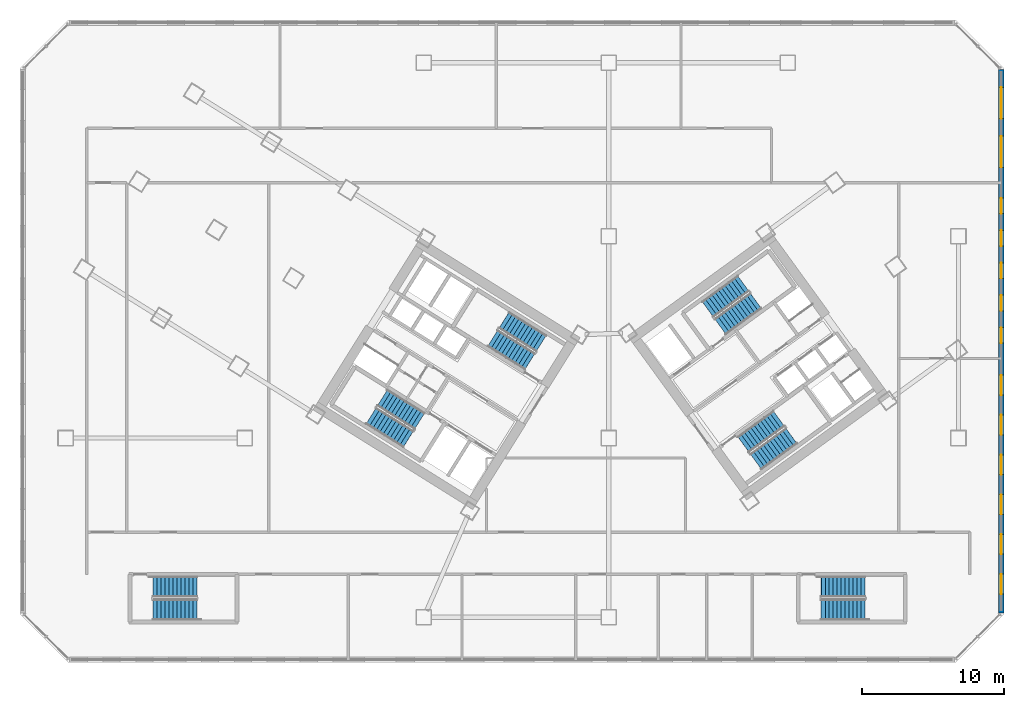
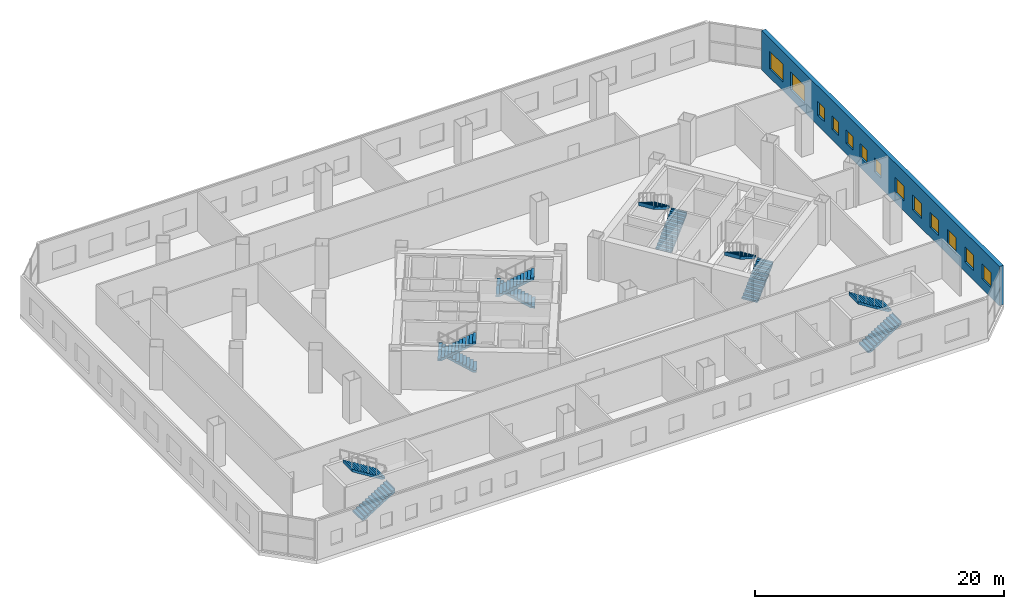
# One storey, part 15 of 22: 13 windows, 12 stair flights, 1 wall, 13 openings, 6 elements without a shape of their own.
"""IFC4 building model written with IfcOpenShell, lengths in metres."""

import ifcopenshell
import ifcopenshell.guid

model = None  # the IFC model being written
_history = None  # IfcOwnerHistory: only IFC2X3 demands one
_inside = {}  # id of a spatial element -> (the spatial element, [elements in it])
_under = {}  # id of a project, library or spatial element -> (it, [spatial elements below it])
_declared = {}  # id of a project -> (the project, [libraries it declares])
_typed = {}  # id of a type object -> (the type object, [elements of that type])
_made_of = {}  # id of a material, layer set ... -> (it, [elements and type objects made of it])


def new_model(schema):
    """Start an empty IFC model of exactly this schema.

    Asked for "IFC4X3", IfcOpenShell would pick the latest addendum, in which some entities
    have other attributes; the version numbers below select the first issue.
    IFC2X3 requires an IfcOwnerHistory on every rooted entity: one is made here for all.
    """
    global model, _history
    if schema == "IFC4X3":
        model = ifcopenshell.file(schema_version=(4, 3, 0, 0))
    else:
        model = ifcopenshell.file(schema=schema)
    _inside.clear()
    _under.clear()
    _declared.clear()
    _typed.clear()
    _made_of.clear()
    _history = None
    if model.schema == "IFC2X3":
        org = make("IfcOrganization", Name="unknown")
        user = make(
            "IfcPersonAndOrganization",
            ThePerson=make("IfcPerson", FamilyName="unknown"),
            TheOrganization=org,
        )
        app = make(
            "IfcApplication",
            ApplicationDeveloper=org,
            Version="unknown",
            ApplicationFullName="unknown",
            ApplicationIdentifier="unknown",
        )
        _history = make(
            "IfcOwnerHistory",
            OwningUser=user,
            OwningApplication=app,
            ChangeAction="ADDED",
            CreationDate=0,
        )
    return model


def make(cls, **values):
    """One entity of the class cls with the attributes given. An attribute that is None is left unset."""
    return model.create_entity(
        cls, **{name: value for name, value in values.items() if value is not None}
    )


def rooted(cls, **values):
    """An entity with a GlobalId (a new one), such as an element, a storey or a relation."""
    return make(cls, GlobalId=ifcopenshell.guid.new(), OwnerHistory=_history, **values)


def si_unit(unit_type, name, prefix=None):
    """IfcSIUnit, for example si_unit("LENGTHUNIT", "METRE", prefix="MILLI")."""
    return make("IfcSIUnit", UnitType=unit_type, Prefix=prefix, Name=name)


def assignment(units):
    """IfcUnitAssignment: the units of a project."""
    return None if units is None else make("IfcUnitAssignment", Units=units)


def point(xyz):
    """IfcCartesianPoint."""
    return None if xyz is None else make("IfcCartesianPoint", Coordinates=xyz)


def direction(xyz):
    """IfcDirection."""
    return None if xyz is None else make("IfcDirection", DirectionRatios=xyz)


def frame(location, z_axis=None, x_axis=None):
    """IfcAxis2Placement3D, a coordinate frame: its origin and axes. An axis left out is left unset."""
    return make(
        "IfcAxis2Placement3D",
        Location=point(location),
        Axis=direction(z_axis),
        RefDirection=direction(x_axis),
    )


def frame_2d(location, x_axis=None):
    """IfcAxis2Placement2D, a coordinate frame in the plane: its origin and x axis."""
    return make(
        "IfcAxis2Placement2D", Location=point(location), RefDirection=direction(x_axis)
    )


def origin():
    """The frame at (0, 0, 0) with its axes left unset."""
    return frame((0.0, 0.0, 0.0))


def place(relative_to, where):
    """IfcLocalPlacement: puts the frame where relative to a parent placement (None: the world)."""
    return make(
        "IfcLocalPlacement", PlacementRelTo=relative_to, RelativePlacement=where
    )


def context(
    kind, dimensions, precision=None, world=None, true_north=None, identifier=None
):
    """IfcGeometricRepresentationContext, for example the 3D "Model" context."""
    return make(
        "IfcGeometricRepresentationContext",
        ContextIdentifier=identifier,
        ContextType=kind,
        CoordinateSpaceDimension=dimensions,
        Precision=precision,
        WorldCoordinateSystem=world,
        TrueNorth=true_north,
    )


def subcontext(parent, identifier, kind, view, scale=None):
    """IfcGeometricRepresentationSubContext, for example "Body" below "Model"."""
    return make(
        "IfcGeometricRepresentationSubContext",
        ContextIdentifier=identifier,
        ContextType=kind,
        ParentContext=parent,
        TargetScale=scale,
        TargetView=view,
    )


def project(units=None, contexts=None):
    """IfcProject with its units and contexts."""
    return rooted(
        "IfcProject",
        Name="project",
        RepresentationContexts=contexts,
        UnitsInContext=assignment(units),
    )


def spatial(cls, under=None, at=None, **own):
    """A site, building, storey or space (cls), placed at a placement, below another one or the project."""
    s = rooted(cls, ObjectPlacement=at, **own)
    if under is not None:
        _under.setdefault(under.id(), (under, []))[1].append(s)
    return s


def polyline(points):
    """IfcPolyline through the points."""
    return make("IfcPolyline", Points=[point(p) for p in points])


def profile(cls, at=None, kind="AREA", **sizes):
    """A parametric profile (cls). Its sizes go by their IFC names, for example OverallWidth=200.0."""
    return make(cls, ProfileType=kind, Position=at, **sizes)


def rectangle(**sizes):
    """IfcRectangleProfileDef."""
    return profile("IfcRectangleProfileDef", **sizes)


def outline(outer, holes=None, kind="AREA"):
    """IfcArbitraryClosedProfileDef: a profile drawn as a closed curve; with holes, ...WithVoids."""
    if holes is None:
        return make("IfcArbitraryClosedProfileDef", ProfileType=kind, OuterCurve=outer)
    return make(
        "IfcArbitraryProfileDefWithVoids",
        ProfileType=kind,
        OuterCurve=outer,
        InnerCurves=holes,
    )


def extrude(swept, where, along, depth):
    """IfcExtrudedAreaSolid: the profile swept, set in the frame where, extruded along a direction by depth."""
    return make(
        "IfcExtrudedAreaSolid",
        SweptArea=swept,
        Position=where,
        ExtrudedDirection=direction(along),
        Depth=depth,
    )


def shape(context_of_items, identifier, shape_type, items):
    """IfcShapeRepresentation: the items that make up one representation, for example the "Body"."""
    return make(
        "IfcShapeRepresentation",
        ContextOfItems=context_of_items,
        RepresentationIdentifier=identifier,
        RepresentationType=shape_type,
        Items=items,
    )


def source(mapping_origin, context_of_items, identifier, shape_type, items):
    """IfcRepresentationMap: a shape defined once, which mapped items show again and again."""
    return make(
        "IfcRepresentationMap",
        MappingOrigin=mapping_origin,
        MappedRepresentation=shape(context_of_items, identifier, shape_type, items),
    )


def transform(
    local_origin,
    x_axis=None,
    y_axis=None,
    z_axis=None,
    scale=None,
    scale2=None,
    scale3=None,
    uniform=True,
):
    """IfcCartesianTransformationOperator3D, or its non-uniform kind. x_axis, y_axis, z_axis: its Axis1, 2, 3."""
    if uniform:
        return make(
            "IfcCartesianTransformationOperator3D",
            Axis1=direction(x_axis),
            Axis2=direction(y_axis),
            LocalOrigin=point(local_origin),
            Scale=scale,
            Axis3=direction(z_axis),
        )
    return make(
        "IfcCartesianTransformationOperator3DnonUniform",
        Axis1=direction(x_axis),
        Axis2=direction(y_axis),
        LocalOrigin=point(local_origin),
        Scale=scale,
        Axis3=direction(z_axis),
        Scale2=scale2,
        Scale3=scale3,
    )


def mapped(mapping_source, mapping_target):
    """IfcMappedItem: shows the shape of a source again, moved by a transform."""
    return make(
        "IfcMappedItem", MappingSource=mapping_source, MappingTarget=mapping_target
    )


def material(Name=None, Category=None):
    """IfcMaterial."""
    return make("IfcMaterial", Name=Name, Category=Category)


def layer(
    of_material, thickness, ventilated=None, Name=None, Category=None, Priority=None
):
    """IfcMaterialLayer: one layer of a wall or slab, of a material (None: an air gap)."""
    return make(
        "IfcMaterialLayer",
        Material=of_material,
        LayerThickness=thickness,
        IsVentilated=ventilated,
        Name=Name,
        Category=Category,
        Priority=Priority,
    )


def layer_set(layers, Name=None):
    """IfcMaterialLayerSet."""
    return make("IfcMaterialLayerSet", MaterialLayers=layers, LayerSetName=Name)


def made_of(thing, what):
    """Note that an element or type object is made of a material, layer set ...; save() writes the relation."""
    if what is not None:
        _made_of.setdefault(what.id(), (what, []))[1].append(thing)
    return thing


def type_object(cls, material=None, **own):
    """A type object (cls), such as IfcWallType, which elements share."""
    return made_of(rooted(cls, **own), material)


def element(
    cls,
    number,
    at=None,
    inside=None,
    cuts=None,
    type_object=None,
    material=None,
    context=None,
    identifier="Body",
    shape_type=None,
    held_by="IfcProductDefinitionShape",
    body=None,
    shapes=None,
    **own,
):
    """One element of the class cls, such as IfcWall. Its Tag is "e" and its number.

    at: its placement. inside: the storey or other place that contains it. cuts: it is an
    opening in that element (IfcRelVoidsElement). A single representation is given by context,
    identifier, shape_type and body (its items); several are given by shapes. held_by: the class
    of the entity that holds the representations. save() writes the other relations.
    """
    e = rooted(cls, Tag="e%d" % number, ObjectPlacement=at, **own)
    if body is not None:
        shapes = [shape(context, identifier, shape_type, body)]
    if shapes is not None:
        e.Representation = make(held_by, Representations=shapes)
    if inside is not None:
        _inside.setdefault(inside.id(), (inside, []))[1].append(e)
    if cuts is not None:
        rooted(
            "IfcRelVoidsElement", RelatingBuildingElement=cuts, RelatedOpeningElement=e
        )
    if type_object is not None:
        _typed.setdefault(type_object.id(), (type_object, []))[1].append(e)
    return made_of(e, material)


def fill(opening, filler):
    """IfcRelFillsElement: the door or window that sits in an opening."""
    return rooted(
        "IfcRelFillsElement",
        RelatingOpeningElement=opening,
        RelatedBuildingElement=filler,
    )


def aggregate(whole, parts):
    """IfcRelAggregates: a whole, such as a stair, and the parts it consists of."""
    return rooted("IfcRelAggregates", RelatingObject=whole, RelatedObjects=parts)


def save(model, path):
    """Write the relations noted so far, then the file.

    IfcRelAggregates (storeys below a building ...), IfcRelContainedInSpatialStructure (elements
    in a storey), IfcRelDefinesByType, IfcRelAssociatesMaterial and IfcRelDeclares: one each for
    every whole, place, type object, material and project.
    """
    for whole, parts in _under.values():
        aggregate(whole, parts)
    for where, things in _inside.values():
        rooted(
            "IfcRelContainedInSpatialStructure",
            RelatedElements=things,
            RelatingStructure=where,
        )
    for kind, things in _typed.values():
        rooted("IfcRelDefinesByType", RelatedObjects=things, RelatingType=kind)
    for what, things in _made_of.values():
        rooted("IfcRelAssociatesMaterial", RelatedObjects=things, RelatingMaterial=what)
    for by, libraries in _declared.values():
        rooted("IfcRelDeclares", RelatingContext=by, RelatedDefinitions=libraries)
    model.write(path)


model = new_model("IFC4")

# Units and contexts
model_context = context("Model", 3, precision=1e-05, world=origin(), true_north=direction((0.0, 1.0)))
body_context = subcontext(model_context, "Body", "Model", "MODEL_VIEW")
ifc_project = project(units=[si_unit("LENGTHUNIT", "METRE"), si_unit("AREAUNIT", "SQUARE_METRE"), si_unit("VOLUMEUNIT", "CUBIC_METRE"), si_unit("PLANEANGLEUNIT", "RADIAN"), si_unit("MASSUNIT", "GRAM", prefix="KILO")], contexts=[model_context])

# Site, building, storey
site_placement = place(None, origin())
site = spatial("IfcSite", under=ifc_project, at=site_placement, CompositionType="ELEMENT")
building_placement = place(site_placement, origin())
building = spatial("IfcBuilding", under=site, at=building_placement, Name="Tlacorven Tower", CompositionType="ELEMENT")
storey_placement = place(building_placement, frame((0.0, 0.0, 10.199951171875)))
storey = spatial("IfcBuildingStorey", under=building, at=storey_placement, Name="L02", CompositionType="ELEMENT", Elevation=10.199951171875)

# Wall, openings, windows
ifc_material_1 = material(Name="Precast concrete C45/55", Category="concrete")
ifc_layer = layer(ifc_material_1, 0.3798828125)
ifc_layer_set = layer_set([ifc_layer], Name="Precast concrete C45/55")
wall_type = type_object("IfcWallType", Name="WL-EXT-380", PredefinedType="STANDARD", material=ifc_layer_set)
wall_placement = place(storey_placement, frame((70.39990234375, 43.1171875, 0.0), z_axis=(0.0, 0.0, 1.0), x_axis=(0.0, -1.0, 0.0)))
wall = element("IfcWall", 1, at=wall_placement, inside=storey, type_object=wall_type, Name="L02 Podium Masonry-Frame Facade Wall 6", PredefinedType="STANDARD", context=body_context, shape_type="SweptSolid", body=[
    extrude(rectangle(XDim=38.234375, YDim=0.3798828125, at=frame_2d((19.1171875, 0.0))), origin(), (0.0, 0.0, 1.0), 3.85009765625),
])
opening_1_placement = place(wall_placement, frame((1.25927734375, 0.0, 0.85009765625)))
opening_1 = element("IfcOpeningElement", 2, at=opening_1_placement, cuts=wall, Name="Opening WN14", PredefinedType="OPENING", context=body_context, shape_type="SweptSolid", body=[
    extrude(rectangle(XDim=2.199951171875, YDim=1.75, at=frame_2d((1.10009765625, 0.875))), frame((0.0, 0.199951171875, 0.0), z_axis=(0.0, -1.0, 0.0), x_axis=(1.0, 0.0, 0.0)), (0.0, 0.0, 1.0), 0.39990234375),
])
opening_2_placement = place(wall_placement, frame((4.677978515625, 0.0, 0.85009765625)))
opening_2 = element("IfcOpeningElement", 3, at=opening_2_placement, cuts=wall, Name="Opening WN14", PredefinedType="OPENING", context=body_context, shape_type="SweptSolid", body=[
    extrude(rectangle(XDim=2.199951171875, YDim=1.75, at=frame_2d((1.10009765625, 0.875))), frame((0.0, 0.199951171875, 0.0), z_axis=(0.0, -1.0, 0.0), x_axis=(1.0, 0.0, 0.0)), (0.0, 0.0, 1.0), 0.39990234375),
])
opening_3_placement = place(wall_placement, frame((9.0361328125, 0.0, 1.0)))
opening_3 = element("IfcOpeningElement", 4, at=opening_3_placement, cuts=wall, Name="Opening WN16", PredefinedType="OPENING", context=body_context, shape_type="SweptSolid", body=[
    extrude(rectangle(XDim=1.10009765625, YDim=1.35009765625, at=frame_2d((0.550048828125, 0.675048828125))), frame((0.0, 0.199951171875, 0.0), z_axis=(0.0, -1.0, 0.0), x_axis=(1.0, 0.0, 0.0)), (0.0, 0.0, 1.0), 0.39990234375),
])
opening_4_placement = place(wall_placement, frame((11.314208984375, 0.0, 1.0)))
opening_4 = element("IfcOpeningElement", 5, at=opening_4_placement, cuts=wall, Name="Opening WN16", PredefinedType="OPENING", context=body_context, shape_type="SweptSolid", body=[
    extrude(rectangle(XDim=1.10009765625, YDim=1.35009765625, at=frame_2d((0.550048828125, 0.675048828125))), frame((0.0, 0.199951171875, 0.0), z_axis=(0.0, -1.0, 0.0), x_axis=(1.0, 0.0, 0.0)), (0.0, 0.0, 1.0), 0.39990234375),
])
opening_5_placement = place(wall_placement, frame((13.59228515625, 0.0, 1.0)))
opening_5 = element("IfcOpeningElement", 6, at=opening_5_placement, cuts=wall, Name="Opening WN16", PredefinedType="OPENING", context=body_context, shape_type="SweptSolid", body=[
    extrude(rectangle(XDim=1.10009765625, YDim=1.35009765625, at=frame_2d((0.550048828125, 0.675048828125))), frame((0.0, 0.199951171875, 0.0), z_axis=(0.0, -1.0, 0.0), x_axis=(1.0, 0.0, 0.0)), (0.0, 0.0, 1.0), 0.39990234375),
])
opening_6_placement = place(wall_placement, frame((15.8701171875, 0.0, 1.0)))
opening_6 = element("IfcOpeningElement", 7, at=opening_6_placement, cuts=wall, Name="Opening WN16", PredefinedType="OPENING", context=body_context, shape_type="SweptSolid", body=[
    extrude(rectangle(XDim=1.10009765625, YDim=1.35009765625, at=frame_2d((0.550048828125, 0.675048828125))), frame((0.0, 0.199951171875, 0.0), z_axis=(0.0, -1.0, 0.0), x_axis=(1.0, 0.0, 0.0)), (0.0, 0.0, 1.0), 0.39990234375),
])
opening_7_placement = place(wall_placement, frame((18.148193359375, 0.0, 1.0)))
opening_7 = element("IfcOpeningElement", 8, at=opening_7_placement, cuts=wall, Name="Opening WN16", PredefinedType="OPENING", context=body_context, shape_type="SweptSolid", body=[
    extrude(rectangle(XDim=1.10009765625, YDim=1.35009765625, at=frame_2d((0.550048828125, 0.675048828125))), frame((0.0, 0.199951171875, 0.0), z_axis=(0.0, -1.0, 0.0), x_axis=(1.0, 0.0, 0.0)), (0.0, 0.0, 1.0), 0.39990234375),
])
opening_8_placement = place(wall_placement, frame((21.49609375, 0.0, 0.949951171875)))
opening_8 = element("IfcOpeningElement", 9, at=opening_8_placement, cuts=wall, Name="Opening WN15", PredefinedType="OPENING", context=body_context, shape_type="SweptSolid", body=[
    extrude(rectangle(XDim=1.39990234375, YDim=1.5, at=frame_2d((0.699951171875, 0.75))), frame((0.0, 0.199951171875, 0.0), z_axis=(0.0, -1.0, 0.0), x_axis=(1.0, 0.0, 0.0)), (0.0, 0.0, 1.0), 0.39990234375),
])
opening_9_placement = place(wall_placement, frame((24.2939453125, 0.0, 0.949951171875)))
opening_9 = element("IfcOpeningElement", 10, at=opening_9_placement, cuts=wall, Name="Opening WN15", PredefinedType="OPENING", context=body_context, shape_type="SweptSolid", body=[
    extrude(rectangle(XDim=1.39990234375, YDim=1.5, at=frame_2d((0.699951171875, 0.75))), frame((0.0, 0.199951171875, 0.0), z_axis=(0.0, -1.0, 0.0), x_axis=(1.0, 0.0, 0.0)), (0.0, 0.0, 1.0), 0.39990234375),
])
opening_10_placement = place(wall_placement, frame((27.091796875, 0.0, 0.949951171875)))
opening_10 = element("IfcOpeningElement", 11, at=opening_10_placement, cuts=wall, Name="Opening WN15", PredefinedType="OPENING", context=body_context, shape_type="SweptSolid", body=[
    extrude(rectangle(XDim=1.39990234375, YDim=1.5, at=frame_2d((0.699951171875, 0.75))), frame((0.0, 0.199951171875, 0.0), z_axis=(0.0, -1.0, 0.0), x_axis=(1.0, 0.0, 0.0)), (0.0, 0.0, 1.0), 0.39990234375),
])
opening_11_placement = place(wall_placement, frame((29.8896484375, 0.0, 0.949951171875)))
opening_11 = element("IfcOpeningElement", 12, at=opening_11_placement, cuts=wall, Name="Opening WN15", PredefinedType="OPENING", context=body_context, shape_type="SweptSolid", body=[
    extrude(rectangle(XDim=1.39990234375, YDim=1.5, at=frame_2d((0.699951171875, 0.75))), frame((0.0, 0.199951171875, 0.0), z_axis=(0.0, -1.0, 0.0), x_axis=(1.0, 0.0, 0.0)), (0.0, 0.0, 1.0), 0.39990234375),
])
opening_12_placement = place(wall_placement, frame((32.6875, 0.0, 0.949951171875)))
opening_12 = element("IfcOpeningElement", 13, at=opening_12_placement, cuts=wall, Name="Opening WN15", PredefinedType="OPENING", context=body_context, shape_type="SweptSolid", body=[
    extrude(rectangle(XDim=1.39990234375, YDim=1.5, at=frame_2d((0.699951171875, 0.75))), frame((0.0, 0.199951171875, 0.0), z_axis=(0.0, -1.0, 0.0), x_axis=(1.0, 0.0, 0.0)), (0.0, 0.0, 1.0), 0.39990234375),
])
opening_13_placement = place(wall_placement, frame((35.4853515625, 0.0, 0.949951171875)))
opening_13 = element("IfcOpeningElement", 14, at=opening_13_placement, cuts=wall, Name="Opening WN15", PredefinedType="OPENING", context=body_context, shape_type="SweptSolid", body=[
    extrude(rectangle(XDim=1.39990234375, YDim=1.5, at=frame_2d((0.699951171875, 0.75))), frame((0.0, 0.199951171875, 0.0), z_axis=(0.0, -1.0, 0.0), x_axis=(1.0, 0.0, 0.0)), (0.0, 0.0, 1.0), 0.39990234375),
])
ifc_material_2 = material(Name="Dark solar low-E double glazing in anodised aluminium frame", Category="aluminium")
window_type_1 = type_object("IfcWindowType", Name="WN-CLN-2200X1850", PartitioningType="SINGLE_PANEL", PredefinedType="WINDOW", material=ifc_material_2)
shared_shape_1 = source(origin(), body_context, "Body", "SweptSolid", [
    extrude(rectangle(XDim=2.199951171875, YDim=1.75, at=frame_2d((1.10009765625, 0.875))), frame((0.0, 0.030029296875, 0.0), z_axis=(0.0, -1.0, 0.0), x_axis=(1.0, 0.0, 0.0)), (0.0, 0.0, 1.0), 0.06005859375),
])
window_1_placement = place(opening_1_placement, origin())
window_1 = element("IfcWindow", 15, at=window_1_placement, inside=storey, type_object=window_type_1, Name="L02 Podium Recessed Facade Window 6.1", OverallHeight=1.75, OverallWidth=2.199951171875, PartitioningType="SINGLE_PANEL", PredefinedType="WINDOW", context=body_context, shape_type="MappedRepresentation", body=[
    mapped(shared_shape_1, transform((0.0, 0.0, 0.0), scale=1.0)),
])
fill(opening_1, window_1)
window_2_placement = place(opening_2_placement, origin())
window_2 = element("IfcWindow", 16, at=window_2_placement, inside=storey, type_object=window_type_1, Name="L02 Podium Recessed Facade Window 6.2", OverallHeight=1.75, OverallWidth=2.199951171875, PartitioningType="SINGLE_PANEL", PredefinedType="WINDOW", context=body_context, shape_type="MappedRepresentation", body=[
    mapped(shared_shape_1, transform((0.0, 0.0, 0.0), scale=1.0)),
])
fill(opening_2, window_2)
window_type_2 = type_object("IfcWindowType", Name="WN-CLN-1100X1400", PartitioningType="SINGLE_PANEL", PredefinedType="WINDOW", material=ifc_material_2)
shared_shape_2 = source(origin(), body_context, "Body", "SweptSolid", [
    extrude(rectangle(XDim=1.10009765625, YDim=1.35009765625, at=frame_2d((0.550048828125, 0.675048828125))), frame((0.0, 0.030029296875, 0.0), z_axis=(0.0, -1.0, 0.0), x_axis=(1.0, 0.0, 0.0)), (0.0, 0.0, 1.0), 0.06005859375),
])
window_3_placement = place(opening_3_placement, origin())
window_3 = element("IfcWindow", 17, at=window_3_placement, inside=storey, type_object=window_type_2, Name="L02 Podium Recessed Facade Window 6.3", OverallHeight=1.35009765625, OverallWidth=1.10009765625, PartitioningType="SINGLE_PANEL", PredefinedType="WINDOW", context=body_context, shape_type="MappedRepresentation", body=[
    mapped(shared_shape_2, transform((0.0, 0.0, 0.0), scale=1.0)),
])
fill(opening_3, window_3)
window_4_placement = place(opening_4_placement, origin())
window_4 = element("IfcWindow", 18, at=window_4_placement, inside=storey, type_object=window_type_2, Name="L02 Podium Recessed Facade Window 6.4", OverallHeight=1.35009765625, OverallWidth=1.10009765625, PartitioningType="SINGLE_PANEL", PredefinedType="WINDOW", context=body_context, shape_type="MappedRepresentation", body=[
    mapped(shared_shape_2, transform((0.0, 0.0, 0.0), scale=1.0)),
])
fill(opening_4, window_4)
window_5_placement = place(opening_5_placement, origin())
window_5 = element("IfcWindow", 19, at=window_5_placement, inside=storey, type_object=window_type_2, Name="L02 Podium Recessed Facade Window 6.5", OverallHeight=1.35009765625, OverallWidth=1.10009765625, PartitioningType="SINGLE_PANEL", PredefinedType="WINDOW", context=body_context, shape_type="MappedRepresentation", body=[
    mapped(shared_shape_2, transform((0.0, 0.0, 0.0), scale=1.0)),
])
fill(opening_5, window_5)
window_6_placement = place(opening_6_placement, origin())
window_6 = element("IfcWindow", 20, at=window_6_placement, inside=storey, type_object=window_type_2, Name="L02 Podium Recessed Facade Window 6.6", OverallHeight=1.35009765625, OverallWidth=1.10009765625, PartitioningType="SINGLE_PANEL", PredefinedType="WINDOW", context=body_context, shape_type="MappedRepresentation", body=[
    mapped(shared_shape_2, transform((0.0, 0.0, 0.0), scale=1.0)),
])
fill(opening_6, window_6)
window_7_placement = place(opening_7_placement, origin())
window_7 = element("IfcWindow", 21, at=window_7_placement, inside=storey, type_object=window_type_2, Name="L02 Podium Recessed Facade Window 6.7", OverallHeight=1.35009765625, OverallWidth=1.10009765625, PartitioningType="SINGLE_PANEL", PredefinedType="WINDOW", context=body_context, shape_type="MappedRepresentation", body=[
    mapped(shared_shape_2, transform((0.0, 0.0, 0.0), scale=1.0)),
])
fill(opening_7, window_7)
window_type_3 = type_object("IfcWindowType", Name="WN-CLN-1400X1600", PartitioningType="SINGLE_PANEL", PredefinedType="WINDOW", material=ifc_material_2)
shared_shape_3 = source(origin(), body_context, "Body", "SweptSolid", [
    extrude(rectangle(XDim=1.39990234375, YDim=1.5, at=frame_2d((0.699951171875, 0.75))), frame((0.0, 0.030029296875, 0.0), z_axis=(0.0, -1.0, 0.0), x_axis=(1.0, 0.0, 0.0)), (0.0, 0.0, 1.0), 0.06005859375),
])
window_8_placement = place(opening_8_placement, origin())
window_8 = element("IfcWindow", 22, at=window_8_placement, inside=storey, type_object=window_type_3, Name="L02 Podium Recessed Facade Window 6.8", OverallHeight=1.5, OverallWidth=1.39990234375, PartitioningType="SINGLE_PANEL", PredefinedType="WINDOW", context=body_context, shape_type="MappedRepresentation", body=[
    mapped(shared_shape_3, transform((0.0, 0.0, 0.0), scale=1.0)),
])
fill(opening_8, window_8)
window_9_placement = place(opening_9_placement, origin())
window_9 = element("IfcWindow", 23, at=window_9_placement, inside=storey, type_object=window_type_3, Name="L02 Podium Recessed Facade Window 6.9", OverallHeight=1.5, OverallWidth=1.39990234375, PartitioningType="SINGLE_PANEL", PredefinedType="WINDOW", context=body_context, shape_type="MappedRepresentation", body=[
    mapped(shared_shape_3, transform((0.0, 0.0, 0.0), scale=1.0)),
])
fill(opening_9, window_9)
window_10_placement = place(opening_10_placement, origin())
window_10 = element("IfcWindow", 24, at=window_10_placement, inside=storey, type_object=window_type_3, Name="L02 Podium Recessed Facade Window 6.10", OverallHeight=1.5, OverallWidth=1.39990234375, PartitioningType="SINGLE_PANEL", PredefinedType="WINDOW", context=body_context, shape_type="MappedRepresentation", body=[
    mapped(shared_shape_3, transform((0.0, 0.0, 0.0), scale=1.0)),
])
fill(opening_10, window_10)
window_11_placement = place(opening_11_placement, origin())
window_11 = element("IfcWindow", 25, at=window_11_placement, inside=storey, type_object=window_type_3, Name="L02 Podium Recessed Facade Window 6.11", OverallHeight=1.5, OverallWidth=1.39990234375, PartitioningType="SINGLE_PANEL", PredefinedType="WINDOW", context=body_context, shape_type="MappedRepresentation", body=[
    mapped(shared_shape_3, transform((0.0, 0.0, 0.0), scale=1.0)),
])
fill(opening_11, window_11)
window_12_placement = place(opening_12_placement, origin())
window_12 = element("IfcWindow", 26, at=window_12_placement, inside=storey, type_object=window_type_3, Name="L02 Podium Recessed Facade Window 6.12", OverallHeight=1.5, OverallWidth=1.39990234375, PartitioningType="SINGLE_PANEL", PredefinedType="WINDOW", context=body_context, shape_type="MappedRepresentation", body=[
    mapped(shared_shape_3, transform((0.0, 0.0, 0.0), scale=1.0)),
])
fill(opening_12, window_12)
window_13_placement = place(opening_13_placement, origin())
window_13 = element("IfcWindow", 27, at=window_13_placement, inside=storey, type_object=window_type_3, Name="L02 Podium Recessed Facade Window 6.13", OverallHeight=1.5, OverallWidth=1.39990234375, PartitioningType="SINGLE_PANEL", PredefinedType="WINDOW", context=body_context, shape_type="MappedRepresentation", body=[
    mapped(shared_shape_3, transform((0.0, 0.0, 0.0), scale=1.0)),
])
fill(opening_13, window_13)

# Stair, stair flights
ifc_material_3 = material(Name="Concrete C40/50", Category="concrete")
stair_type_1 = type_object("IfcStairType", Name="ST-CORE-DLG", PredefinedType="HALF_TURN_STAIR", material=ifc_material_3)
stair_1_placement = place(storey_placement, origin())
stair_1 = element("IfcStair", 28, at=stair_1_placement, inside=storey, type_object=stair_type_1, Name="L02 Protected Exit Stair West 1", PredefinedType="HALF_TURN_STAIR")
stair_flight_type_1 = type_object("IfcStairFlightType", Name="SFL-RC-1380", PredefinedType="STRAIGHT", material=ifc_material_3)
shared_shape_4 = source(origin(), body_context, "Body", "SweptSolid", [
    extrude(outline(polyline([(-0.0029296875, -0.0029296875), (-0.0029296875, 0.175048828125), (0.280029296875, 0.175048828125), (0.280029296875, 0.35009765625), (0.56005859375, 0.35009765625), (0.56005859375, 0.52490234375), (0.840087890625, 0.52490234375), (0.840087890625, 0.699951171875), (1.1201171875, 0.699951171875), (1.1201171875, 0.875), (1.39990234375, 0.875), (1.39990234375, 1.050048828125), (1.679931640625, 1.050048828125), (1.679931640625, 1.22509765625), (1.9599609375, 1.22509765625), (1.9599609375, 1.39990234375), (2.239990234375, 1.39990234375), (2.239990234375, 1.574951171875), (2.52001953125, 1.574951171875), (2.52001953125, 1.75), (2.800048828125, 1.75), (2.800048828125, 1.925048828125), (3.080078125, 1.925048828125), (3.080078125, 2.10009765625), (3.0830078125, 2.10009765625), (3.0830078125, 1.736328125), (3.080078125, 1.736328125), (0.3017578125, 0.0), (0.3017578125, -0.0029296875), (-0.0029296875, -0.0029296875)])), frame((0.0, 0.68994140625, 0.0), z_axis=(0.0, -1.0, 0.0), x_axis=(1.0, 0.0, 0.0)), (0.0, 0.0, 1.0), 1.3798828125),
])
stair_flight_1_placement = place(storey_placement, frame((29.499755859375, 18.39453125, 0.0), z_axis=(0.0, 0.0, 1.0), x_axis=(-0.848048096156, 0.529919264233, 0.0)))
stair_flight_1 = element("IfcStairFlight", 29, at=stair_flight_1_placement, type_object=stair_flight_type_1, Name="ST-W1 flight 1", NumberOfRisers=12, NumberOfTreads=11, PredefinedType="STRAIGHT", RiserHeight=0.175, TreadLength=0.28, context=body_context, shape_type="MappedRepresentation", body=[
    mapped(shared_shape_4, transform((0.0, 0.0, 0.0), scale=1.0)),
])
stair_flight_2_placement = place(storey_placement, frame((26.093017578125, 18.754638671875, 2.10009765625), z_axis=(0.0, 0.0, 1.0), x_axis=(0.848048096156, -0.529919264233, 0.0)))
stair_flight_2 = element("IfcStairFlight", 30, at=stair_flight_2_placement, type_object=stair_flight_type_1, Name="ST-W1 flight 2", NumberOfRisers=12, NumberOfTreads=11, PredefinedType="STRAIGHT", RiserHeight=0.175, TreadLength=0.28, context=body_context, shape_type="MappedRepresentation", body=[
    mapped(shared_shape_4, transform((0.0, 0.0, 0.0), scale=1.0)),
])
aggregate(stair_1, [stair_flight_1, stair_flight_2])

stair_2_placement = place(storey_placement, origin())
stair_2 = element("IfcStair", 31, at=stair_2_placement, inside=storey, type_object=stair_type_1, Name="L02 Protected Exit Stair West 2", PredefinedType="HALF_TURN_STAIR")
stair_flight_3_placement = place(storey_placement, frame((38.051513671875, 23.852294921875, 0.0), z_axis=(0.0, 0.0, 1.0), x_axis=(-0.848048096156, 0.529919264233, 0.0)))
stair_flight_3 = element("IfcStairFlight", 32, at=stair_flight_3_placement, type_object=stair_flight_type_1, Name="ST-W2 flight 1", NumberOfRisers=12, NumberOfTreads=11, PredefinedType="STRAIGHT", RiserHeight=0.175, TreadLength=0.28, context=body_context, shape_type="MappedRepresentation", body=[
    mapped(shared_shape_4, transform((0.0, 0.0, 0.0), scale=1.0)),
])
stair_flight_4_placement = place(storey_placement, frame((34.64453125, 24.21240234375, 2.10009765625), z_axis=(0.0, 0.0, 1.0), x_axis=(0.848048096156, -0.529919264233, 0.0)))
stair_flight_4 = element("IfcStairFlight", 33, at=stair_flight_4_placement, type_object=stair_flight_type_1, Name="ST-W2 flight 2", NumberOfRisers=12, NumberOfTreads=11, PredefinedType="STRAIGHT", RiserHeight=0.175, TreadLength=0.28, context=body_context, shape_type="MappedRepresentation", body=[
    mapped(shared_shape_4, transform((0.0, 0.0, 0.0), scale=1.0)),
])
aggregate(stair_2, [stair_flight_3, stair_flight_4])

stair_3_placement = place(storey_placement, origin())
stair_3 = element("IfcStair", 34, at=stair_3_placement, inside=storey, type_object=stair_type_1, Name="L02 Protected Exit Stair East 1", PredefinedType="HALF_TURN_STAIR")
stair_flight_5_placement = place(storey_placement, frame((50.6533203125, 25.0400390625, 0.0), z_axis=(0.0, 0.0, 1.0), x_axis=(0.809016994375, 0.587785252292, 0.0)))
stair_flight_5 = element("IfcStairFlight", 35, at=stair_flight_5_placement, type_object=stair_flight_type_1, Name="ST-E1 flight 1", NumberOfRisers=12, NumberOfTreads=11, PredefinedType="STRAIGHT", RiserHeight=0.175, TreadLength=0.28, context=body_context, shape_type="MappedRepresentation", body=[
    mapped(shared_shape_4, transform((0.0, 0.0, 0.0), scale=1.0)),
])
stair_flight_6_placement = place(storey_placement, frame((52.263427734375, 28.06396484375, 2.10009765625), z_axis=(0.0, 0.0, 1.0), x_axis=(-0.809016994375, -0.587785252292, 0.0)))
stair_flight_6 = element("IfcStairFlight", 36, at=stair_flight_6_placement, type_object=stair_flight_type_1, Name="ST-E1 flight 2", NumberOfRisers=12, NumberOfTreads=11, PredefinedType="STRAIGHT", RiserHeight=0.175, TreadLength=0.28, context=body_context, shape_type="MappedRepresentation", body=[
    mapped(shared_shape_4, transform((0.0, 0.0, 0.0), scale=1.0)),
])
aggregate(stair_3, [stair_flight_5, stair_flight_6])

stair_4_placement = place(storey_placement, origin())
stair_4 = element("IfcStair", 37, at=stair_4_placement, inside=storey, type_object=stair_type_1, Name="L02 Protected Exit Stair East 2", PredefinedType="HALF_TURN_STAIR")
stair_flight_7_placement = place(storey_placement, frame((53.157470703125, 15.536865234375, 0.0), z_axis=(0.0, 0.0, 1.0), x_axis=(0.809016994375, 0.587785252292, 0.0)))
stair_flight_7 = element("IfcStairFlight", 38, at=stair_flight_7_placement, type_object=stair_flight_type_1, Name="ST-E2 flight 1", NumberOfRisers=12, NumberOfTreads=11, PredefinedType="STRAIGHT", RiserHeight=0.175, TreadLength=0.28, context=body_context, shape_type="MappedRepresentation", body=[
    mapped(shared_shape_4, transform((0.0, 0.0, 0.0), scale=1.0)),
])
stair_flight_8_placement = place(storey_placement, frame((54.767578125, 18.560791015625, 2.10009765625), z_axis=(0.0, 0.0, 1.0), x_axis=(-0.809016994375, -0.587785252292, 0.0)))
stair_flight_8 = element("IfcStairFlight", 39, at=stair_flight_8_placement, type_object=stair_flight_type_1, Name="ST-E2 flight 2", NumberOfRisers=12, NumberOfTreads=11, PredefinedType="STRAIGHT", RiserHeight=0.175, TreadLength=0.28, context=body_context, shape_type="MappedRepresentation", body=[
    mapped(shared_shape_4, transform((0.0, 0.0, 0.0), scale=1.0)),
])
aggregate(stair_4, [stair_flight_7, stair_flight_8])

stair_type_2 = type_object("IfcStairType", Name="ST-POD-DLG", PredefinedType="HALF_TURN_STAIR", material=ifc_material_3)
stair_5_placement = place(storey_placement, origin())
stair_5 = element("IfcStair", 40, at=stair_5_placement, inside=storey, type_object=stair_type_2, Name="L02 Podium Station Exit Stair 1", PredefinedType="HALF_TURN_STAIR")
stair_flight_type_2 = type_object("IfcStairFlightType", Name="SFL-RC-1480", PredefinedType="STRAIGHT", material=ifc_material_3)
shared_shape_5 = source(origin(), body_context, "Body", "SweptSolid", [
    extrude(outline(polyline([(-0.0029296875, -0.0029296875), (-0.0029296875, 0.175048828125), (0.280029296875, 0.175048828125), (0.280029296875, 0.35009765625), (0.56005859375, 0.35009765625), (0.56005859375, 0.52490234375), (0.840087890625, 0.52490234375), (0.840087890625, 0.699951171875), (1.1201171875, 0.699951171875), (1.1201171875, 0.875), (1.39990234375, 0.875), (1.39990234375, 1.050048828125), (1.679931640625, 1.050048828125), (1.679931640625, 1.22509765625), (1.9599609375, 1.22509765625), (1.9599609375, 1.39990234375), (2.239990234375, 1.39990234375), (2.239990234375, 1.574951171875), (2.52001953125, 1.574951171875), (2.52001953125, 1.75), (2.800048828125, 1.75), (2.800048828125, 1.925048828125), (3.080078125, 1.925048828125), (3.080078125, 2.10009765625), (3.0830078125, 2.10009765625), (3.0830078125, 1.736328125), (3.080078125, 1.736328125), (0.3017578125, 0.0), (0.3017578125, -0.0029296875), (-0.0029296875, -0.0029296875)])), frame((0.0, 0.739990234375, 0.0), z_axis=(0.0, -1.0, 0.0), x_axis=(1.0, 0.0, 0.0)), (0.0, 0.0, 1.0), 1.47998046875),
])
stair_flight_9_placement = place(storey_placement, frame((10.75, 5.139892578125, 0.0), z_axis=(0.0, 0.0, 1.0), x_axis=(1.0, 0.0, 0.0)))
stair_flight_9 = element("IfcStairFlight", 41, at=stair_flight_9_placement, type_object=stair_flight_type_2, Name="ST-P1 flight 1", NumberOfRisers=12, NumberOfTreads=11, PredefinedType="STRAIGHT", RiserHeight=0.175, TreadLength=0.28, context=body_context, shape_type="MappedRepresentation", body=[
    mapped(shared_shape_5, transform((0.0, 0.0, 0.0), scale=1.0)),
])
stair_flight_10_placement = place(storey_placement, frame((13.830078125, 6.739990234375, 2.10009765625), z_axis=(0.0, 0.0, 1.0), x_axis=(-1.0, 0.0, 0.0)))
stair_flight_10 = element("IfcStairFlight", 42, at=stair_flight_10_placement, type_object=stair_flight_type_2, Name="ST-P1 flight 2", NumberOfRisers=12, NumberOfTreads=11, PredefinedType="STRAIGHT", RiserHeight=0.175, TreadLength=0.28, context=body_context, shape_type="MappedRepresentation", body=[
    mapped(shared_shape_5, transform((0.0, 0.0, 0.0), scale=1.0)),
])
aggregate(stair_5, [stair_flight_9, stair_flight_10])

stair_6_placement = place(storey_placement, origin())
stair_6 = element("IfcStair", 43, at=stair_6_placement, inside=storey, type_object=stair_type_2, Name="L02 Podium Station Exit Stair 2", PredefinedType="HALF_TURN_STAIR")
stair_flight_11_placement = place(storey_placement, frame((57.75, 5.139892578125, 0.0), z_axis=(0.0, 0.0, 1.0), x_axis=(1.0, 0.0, 0.0)))
stair_flight_11 = element("IfcStairFlight", 44, at=stair_flight_11_placement, type_object=stair_flight_type_2, Name="ST-P2 flight 1", NumberOfRisers=12, NumberOfTreads=11, PredefinedType="STRAIGHT", RiserHeight=0.175, TreadLength=0.28, context=body_context, shape_type="MappedRepresentation", body=[
    mapped(shared_shape_5, transform((0.0, 0.0, 0.0), scale=1.0)),
])
stair_flight_12_placement = place(storey_placement, frame((60.830078125, 6.739990234375, 2.10009765625), z_axis=(0.0, 0.0, 1.0), x_axis=(-1.0, 0.0, 0.0)))
stair_flight_12 = element("IfcStairFlight", 45, at=stair_flight_12_placement, type_object=stair_flight_type_2, Name="ST-P2 flight 2", NumberOfRisers=12, NumberOfTreads=11, PredefinedType="STRAIGHT", RiserHeight=0.175, TreadLength=0.28, context=body_context, shape_type="MappedRepresentation", body=[
    mapped(shared_shape_5, transform((0.0, 0.0, 0.0), scale=1.0)),
])
aggregate(stair_6, [stair_flight_11, stair_flight_12])

save(model, "model.ifc")
